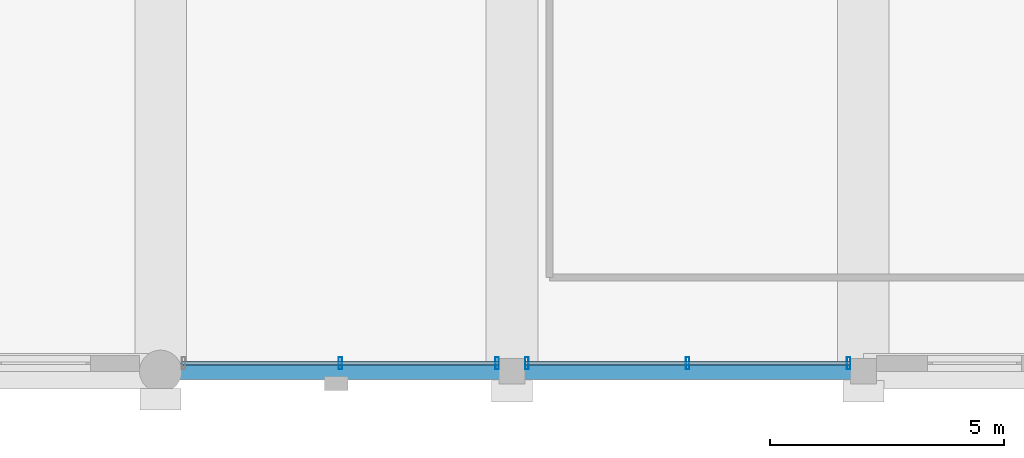
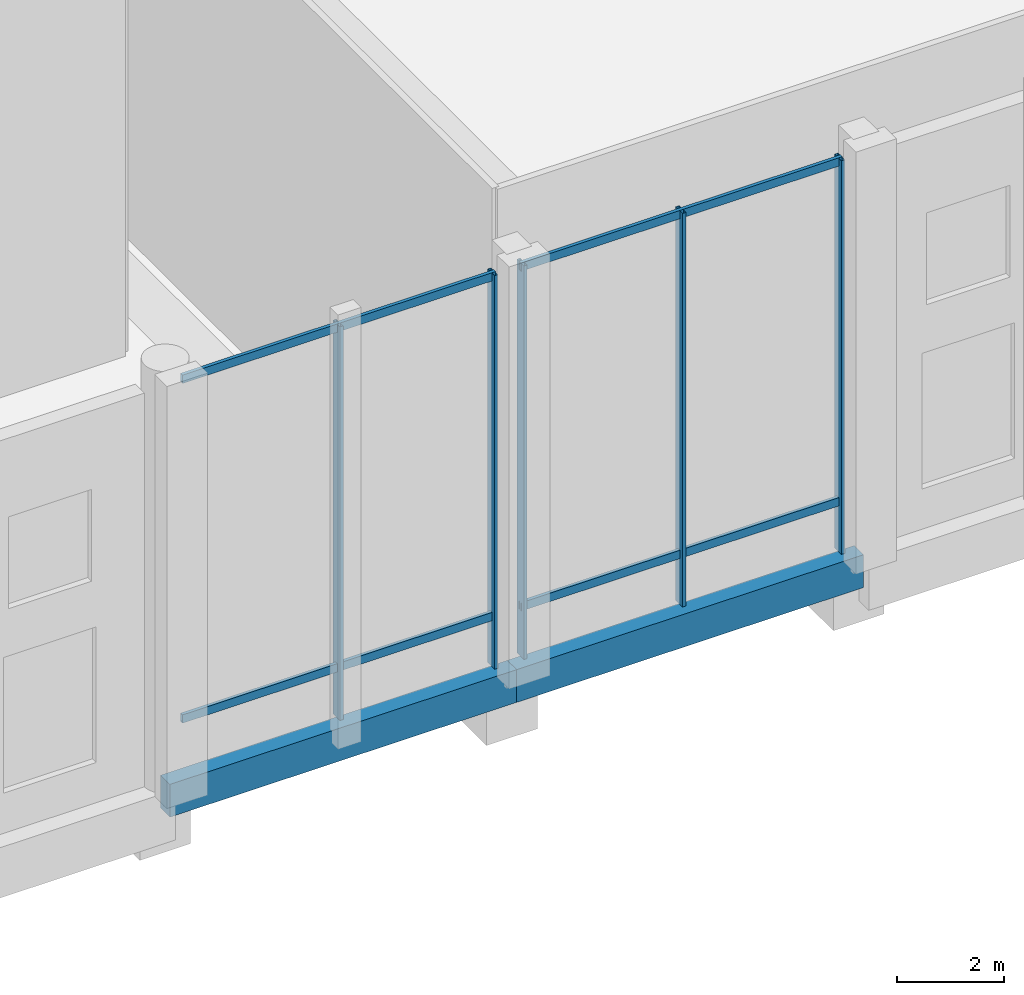
# One storey, part 15 of 80: 9 members, 2 beams, 2 elements without a shape of their own.
"""IFC4 building model written with IfcOpenShell, lengths in metres."""

from ifc_helpers import new_model, si_unit, direction, frame, origin, origin_2d, place, context, subcontext, project, spatial, rectangle, hollow_rectangle, extrude, material, material_profile, profile_set, type_object, element, aggregate, save


model = new_model("IFC4")

# Units and contexts
model_context = context("Model", 3, precision=1e-05, world=origin(), true_north=direction((0.0, 1.0)))
body_context = subcontext(model_context, "Body", "Model", "MODEL_VIEW")
ifc_project = project(units=[si_unit("LENGTHUNIT", "METRE"), si_unit("AREAUNIT", "SQUARE_METRE"), si_unit("VOLUMEUNIT", "CUBIC_METRE"), si_unit("PLANEANGLEUNIT", "RADIAN"), si_unit("MASSUNIT", "GRAM", prefix="KILO")], contexts=[model_context])

# Site, building, storey
site_placement = place(None, origin())
site = spatial("IfcSite", under=ifc_project, at=site_placement, CompositionType="ELEMENT")
building_placement = place(site_placement, origin())
building = spatial("IfcBuilding", under=site, at=building_placement, Name="Akrevak Sports Hall", CompositionType="ELEMENT")
storey_placement = place(building_placement, frame((0.0, 0.0, 14.0)))
storey = spatial("IfcBuildingStorey", under=building, at=storey_placement, Name="L03", CompositionType="ELEMENT", Elevation=14.0)

# Curtain wall, members
ifc_material_1 = material(Name="Anodized Bronze Aluminium & Low-E Glass", Category="aluminium")
curtain_wall_type = type_object("IfcCurtainWallType", Name="ARC-CW-POD-64x94", PredefinedType="NOTDEFINED", material=ifc_material_1)
curtain_wall_1_placement = place(storey_placement, origin())
curtain_wall_1 = element("IfcCurtainWall", 1, at=curtain_wall_1_placement, inside=storey, type_object=curtain_wall_type, Name="Curtain Wall CW-L03-S03", PredefinedType="NOTDEFINED")
ifc_material_2 = material(Name="Anodized Bronze Aluminium", Category="aluminium")
ifc_material_profile_1 = material_profile(ifc_material_2, hollow_rectangle(XDim=0.074951171875, YDim=0.260009765625, WallThickness=0.0048828125, at=origin_2d()), Name="CWM 75x260", Category="aluminium")
ifc_profile_set_1 = profile_set([ifc_material_profile_1], Name="Anodized Bronze Aluminium")
member_type_1 = type_object("IfcMemberType", Name="ARC-CWM-80x180", PredefinedType="MULLION", material=ifc_profile_set_1)
member_1_placement = place(storey_placement, frame((33.83740234375, 0.169921875, 0.0), z_axis=(0.0, 0.0, 1.0), x_axis=(1.0, 0.0, 0.0)))
member_1 = element("IfcMember", 2, at=member_1_placement, type_object=member_type_1, Name="Curtain Wall Mullion CW-L03-S03-M2", PredefinedType="MULLION", context=body_context, shape_type="SweptSolid", body=[
    extrude(hollow_rectangle(XDim=0.074951171875, YDim=0.260009765625, WallThickness=0.0048828125, at=origin_2d()), origin(), (0.0, 0.0, 1.0), 9.0),
])
member_2_placement = place(storey_placement, frame((37.18505859375, 0.169921875, 0.0), z_axis=(0.0, 0.0, 1.0), x_axis=(1.0, 0.0, 0.0)))
member_2 = element("IfcMember", 3, at=member_2_placement, type_object=member_type_1, Name="Curtain Wall Mullion CW-L03-S03-M3", PredefinedType="MULLION", context=body_context, shape_type="SweptSolid", body=[
    extrude(hollow_rectangle(XDim=0.074951171875, YDim=0.260009765625, WallThickness=0.0048828125, at=origin_2d()), origin(), (0.0, 0.0, 1.0), 9.0),
])

curtain_wall_2_placement = place(storey_placement, origin())
curtain_wall_2 = element("IfcCurtainWall", 4, at=curtain_wall_2_placement, inside=storey, type_object=curtain_wall_type, Name="Curtain Wall CW-L03-S04", PredefinedType="NOTDEFINED")
member_3_placement = place(storey_placement, frame((37.81494140625, 0.169921875, 0.0), z_axis=(0.0, 0.0, 1.0), x_axis=(1.0, 0.0, 0.0)))
member_3 = element("IfcMember", 5, at=member_3_placement, type_object=member_type_1, Name="Curtain Wall Mullion CW-L03-S04-M1", PredefinedType="MULLION", context=body_context, shape_type="SweptSolid", body=[
    extrude(hollow_rectangle(XDim=0.074951171875, YDim=0.260009765625, WallThickness=0.0048828125, at=origin_2d()), origin(), (0.0, 0.0, 1.0), 9.0),
])
member_4_placement = place(storey_placement, frame((41.25, 0.169921875, 0.0), z_axis=(0.0, 0.0, 1.0), x_axis=(1.0, 0.0, 0.0)))
member_4 = element("IfcMember", 6, at=member_4_placement, type_object=member_type_1, Name="Curtain Wall Mullion CW-L03-S04-M2", PredefinedType="MULLION", context=body_context, shape_type="SweptSolid", body=[
    extrude(hollow_rectangle(XDim=0.074951171875, YDim=0.260009765625, WallThickness=0.0048828125, at=origin_2d()), origin(), (0.0, 0.0, 1.0), 9.0),
])
member_5_placement = place(storey_placement, frame((44.68505859375, 0.169921875, 0.0), z_axis=(0.0, 0.0, 1.0), x_axis=(1.0, 0.0, 0.0)))
member_5 = element("IfcMember", 7, at=member_5_placement, type_object=member_type_1, Name="Curtain Wall Mullion CW-L03-S04-M3", PredefinedType="MULLION", context=body_context, shape_type="SweptSolid", body=[
    extrude(hollow_rectangle(XDim=0.074951171875, YDim=0.260009765625, WallThickness=0.0048828125, at=origin_2d()), origin(), (0.0, 0.0, 1.0), 9.0),
])

# Member
ifc_material_profile_2 = material_profile(ifc_material_2, hollow_rectangle(XDim=0.074951171875, YDim=0.18994140625, WallThickness=0.00439453125, at=origin_2d()), Name="CWT 75x190", Category="aluminium")
ifc_profile_set_2 = profile_set([ifc_material_profile_2], Name="Anodized Bronze Aluminium")
member_type_2 = type_object("IfcMemberType", Name="ARC-CWT-80x150", PredefinedType="USERDEFINED", material=ifc_profile_set_2)
member_6_placement = place(storey_placement, frame((30.449951171875, 0.169921875, 1.14990234375), z_axis=(1.0, 0.0, 0.0), x_axis=(0.0, 1.0, 0.0)))
member_6 = element("IfcMember", 8, at=member_6_placement, type_object=member_type_2, Name="Curtain Wall Transom CW-L03-S03-T1", ObjectType="TRANSOM", PredefinedType="USERDEFINED", context=body_context, shape_type="SweptSolid", body=[
    extrude(hollow_rectangle(XDim=0.074951171875, YDim=0.18994140625, WallThickness=0.00439453125, at=origin_2d()), origin(), (0.0, 0.0, 1.0), 6.775146484375),
])

member_7_placement = place(storey_placement, frame((30.449951171875, 0.169921875, 8.919921875), z_axis=(1.0, 0.0, 0.0), x_axis=(0.0, 1.0, 0.0)))
member_7 = element("IfcMember", 9, at=member_7_placement, type_object=member_type_2, Name="Curtain Wall Transom CW-L03-S03-T2", ObjectType="TRANSOM", PredefinedType="USERDEFINED", context=body_context, shape_type="SweptSolid", body=[
    extrude(hollow_rectangle(XDim=0.074951171875, YDim=0.18994140625, WallThickness=0.00439453125, at=origin_2d()), origin(), (0.0, 0.0, 1.0), 6.775146484375),
])

aggregate(curtain_wall_1, [member_1, member_2, member_6, member_7])

member_8_placement = place(storey_placement, frame((37.77490234375, 0.169921875, 1.14990234375), z_axis=(1.0, 0.0, 0.0), x_axis=(0.0, 1.0, 0.0)))
member_8 = element("IfcMember", 10, at=member_8_placement, type_object=member_type_2, Name="Curtain Wall Transom CW-L03-S04-T1", ObjectType="TRANSOM", PredefinedType="USERDEFINED", context=body_context, shape_type="SweptSolid", body=[
    extrude(hollow_rectangle(XDim=0.074951171875, YDim=0.18994140625, WallThickness=0.00439453125, at=origin_2d()), origin(), (0.0, 0.0, 1.0), 6.9501953125),
])

member_9_placement = place(storey_placement, frame((37.77490234375, 0.169921875, 8.919921875), z_axis=(1.0, 0.0, 0.0), x_axis=(0.0, 1.0, 0.0)))
member_9 = element("IfcMember", 11, at=member_9_placement, type_object=member_type_2, Name="Curtain Wall Transom CW-L03-S04-T2", ObjectType="TRANSOM", PredefinedType="USERDEFINED", context=body_context, shape_type="SweptSolid", body=[
    extrude(hollow_rectangle(XDim=0.074951171875, YDim=0.18994140625, WallThickness=0.00439453125, at=origin_2d()), origin(), (0.0, 0.0, 1.0), 6.9501953125),
])

aggregate(curtain_wall_2, [member_3, member_4, member_5, member_8, member_9])

# Beams
ifc_material_3 = material(Name="Concrete C40/50", Category="concrete")
ifc_material_profile_3 = material_profile(ifc_material_3, rectangle(XDim=0.35009765625, YDim=0.75, at=origin_2d()), Name="SPD 350x750", Category="concrete")
ifc_profile_set_3 = profile_set([ifc_material_profile_3], Name="Concrete C40/50")
beam_type = type_object("IfcBeamType", Name="STR-SPD-RC350x750", PredefinedType="SPANDREL", material=ifc_profile_set_3)
for number, where, z_axis, x_axis, name in (
    (12, (30.0, 0.0, -0.375), (1.0, 0.0, 0.0), (0.0, 1.0, 0.0), "Girder A/5-6 (L03)"),
    (13, (37.5, 0.0, -0.375), (1.0, 0.0, 0.0), (0.0, 1.0, 0.0), "Girder A/6-7 (L03)"),
):
    element("IfcBeam", number, at=place(storey_placement, frame(where, z_axis=z_axis, x_axis=x_axis)), inside=storey, type_object=beam_type, Name=name, PredefinedType="SPANDREL", context=body_context, shape_type="SweptSolid", body=[
        extrude(rectangle(XDim=0.35009765625, YDim=0.75, at=origin_2d()), origin(), (0.0, 0.0, 1.0), 7.5),
    ])

save(model, "model.ifc")
